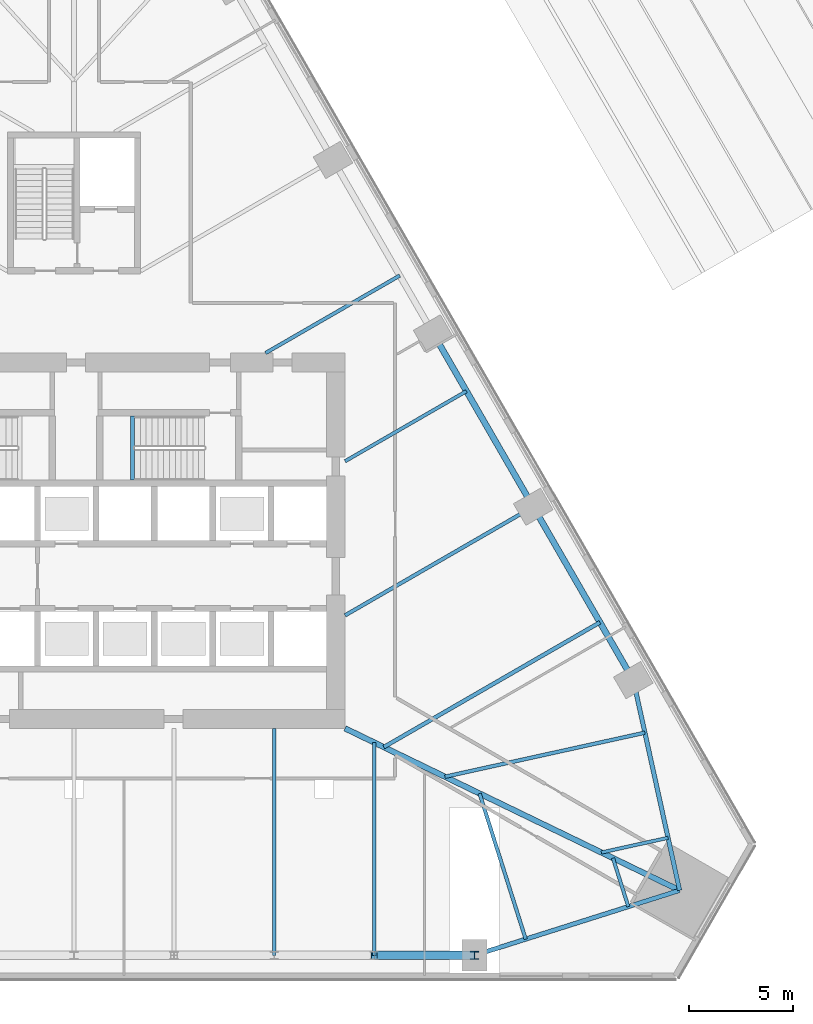
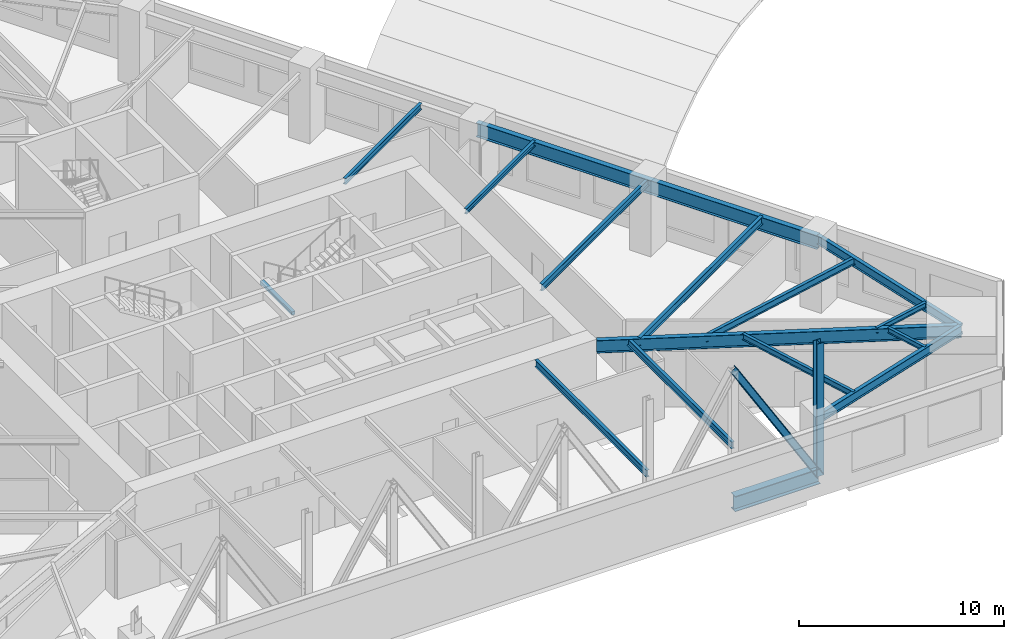
# One storey, part 3 of 11: 15 beams, 3 members.
"""IFC4 building model written with IfcOpenShell, lengths in metres."""

from ifc_helpers import new_model, si_unit, direction, frame, origin, origin_2d, place, context, subcontext, project, spatial, rectangle, i_section, extrude, material, material_profile, profile_set, type_object, element, save


model = new_model("IFC4")

# Units and contexts
model_context = context("Model", 3, precision=1e-05, world=origin(), true_north=direction((0.0, 1.0)))
body_context = subcontext(model_context, "Body", "Model", "MODEL_VIEW")
ifc_project = project(units=[si_unit("LENGTHUNIT", "METRE"), si_unit("AREAUNIT", "SQUARE_METRE"), si_unit("VOLUMEUNIT", "CUBIC_METRE"), si_unit("PLANEANGLEUNIT", "RADIAN"), si_unit("MASSUNIT", "GRAM", prefix="KILO")], contexts=[model_context])

# Site, building, storey
site_placement = place(None, origin())
site = spatial("IfcSite", under=ifc_project, at=site_placement, CompositionType="ELEMENT")
building_placement = place(site_placement, origin())
building = spatial("IfcBuilding", under=site, at=building_placement, Name="Firuza Gate Tower and Library", CompositionType="ELEMENT")
storey_placement = place(building_placement, frame((0.0, 0.0, 31.0)))
storey = spatial("IfcBuildingStorey", under=building, at=storey_placement, Name="L06", CompositionType="ELEMENT", Elevation=31.0)

# Beams
ifc_material_1 = material(Name="Concrete C35/45", Category="concrete")
ifc_material_profile_1 = material_profile(ifc_material_1, rectangle(XDim=0.199951171875, YDim=0.199951171875, at=origin_2d()))
ifc_profile_set_1 = profile_set([ifc_material_profile_1], Name="Concrete C35/45")
beam_type_1 = type_object("IfcBeamType", Name="Stair landing bearer 200x200", PredefinedType="BEAM", material=ifc_profile_set_1)
beam_1_placement = place(storey_placement, frame((77.800048828125, 80.97998046875, 1.949951171875), z_axis=(0.0, -1.0, 0.0), x_axis=(1.0, 0.0, 0.0)))
element("IfcBeam", 1, at=beam_1_placement, inside=storey, type_object=beam_type_1, Name="Landing bearer L06 stair 2", PredefinedType="BEAM", context=body_context, shape_type="SweptSolid", body=[
    extrude(rectangle(XDim=0.199951171875, YDim=0.199951171875, at=origin_2d()), origin(), (0.0, 0.0, 1.0), 3.080078125),
])
ifc_material_2 = material(Name="Steel S355", Category="steel")
ifc_material_profile_2 = material_profile(ifc_material_2, i_section(OverallWidth=0.1650390625, OverallDepth=0.31005859375, WebThickness=0.005859375, FlangeThickness=0.009765625, at=origin_2d()))
ifc_profile_set_2 = profile_set([ifc_material_profile_2], Name="Steel S355")
beam_type_2 = type_object("IfcBeamType", Name="W310x39 Floor beam", PredefinedType="JOIST", material=ifc_profile_set_2)
beam_2_placement = place(storey_placement, frame((101.580810546875, 57.45361328125, 3.89501953125), z_axis=(-0.30197349393, 0.953316321566, 0.0), x_axis=(-0.953316321566, -0.30197349393, 0.0)))
element("IfcBeam", 2, at=beam_2_placement, inside=storey, type_object=beam_type_2, Name="Floor beam L06 s31", PredefinedType="JOIST", context=body_context, shape_type="SweptSolid", body=[
    extrude(i_section(OverallWidth=0.1650390625, OverallDepth=0.31005859375, WebThickness=0.005859375, FlangeThickness=0.009765625, at=origin_2d()), origin(), (0.0, 0.0, 1.0), 2.441650390625),
])
beam_3_placement = place(storey_placement, frame((103.486083984375, 60.75341796875, 3.89501953125), z_axis=(-0.976601243751, -0.215058156564, 0.0), x_axis=(0.215058156564, -0.976601243751, 0.0)))
element("IfcBeam", 3, at=beam_3_placement, inside=storey, type_object=beam_type_2, Name="Floor beam L06 s40", PredefinedType="JOIST", context=body_context, shape_type="SweptSolid", body=[
    extrude(i_section(OverallWidth=0.1650390625, OverallDepth=0.31005859375, WebThickness=0.005859375, FlangeThickness=0.009765625, at=origin_2d()), origin(), (0.0, 0.0, 1.0), 3.27294921875),
])
beam_4_placement = place(storey_placement, frame((93.820556640625, 82.171142578125, 3.89501953125), z_axis=(-0.866019234261, -0.500010685776, 0.0), x_axis=(0.500010685776, -0.866019234261, 0.0)))
element("IfcBeam", 4, at=beam_4_placement, inside=storey, type_object=beam_type_2, Name="Floor beam L06 s52", PredefinedType="JOIST", context=body_context, shape_type="SweptSolid", body=[
    extrude(i_section(OverallWidth=0.1650390625, OverallDepth=0.31005859375, WebThickness=0.005859375, FlangeThickness=0.009765625, at=origin_2d()), origin(), (0.0, 0.0, 1.0), 6.720947265625),
])

# Members
ifc_material_3 = material(Name="Steel S355", Category="steel")
ifc_material_profile_3 = material_profile(ifc_material_3, i_section(OverallWidth=0.39404296875, OverallDepth=0.375, WebThickness=0.017333984375, FlangeThickness=0.027587890625, at=origin_2d()))
ifc_profile_set_3 = profile_set([ifc_material_profile_3], Name="Steel S355")
member_type_1 = type_object("IfcMemberType", Name="W360x216 Transfer truss post", PredefinedType="POST", material=ifc_profile_set_3)
member_1_placement = place(storey_placement, frame((94.199951171875, 55.115478515625, 0.4560546875), z_axis=(0.0, 0.0, 1.0), x_axis=(1.0, 0.0, 0.0)))
element("IfcMember", 5, at=member_1_placement, inside=storey, type_object=member_type_1, Name="Transfer truss post 9", PredefinedType="POST", context=body_context, shape_type="SweptSolid", body=[
    extrude(i_section(OverallWidth=0.39404296875, OverallDepth=0.375, WebThickness=0.017333984375, FlangeThickness=0.027587890625, at=origin_2d()), origin(), (0.0, 0.0, 1.0), 7.887939453125),
])
ifc_material_4 = material(Name="Steel S355", Category="steel")
ifc_material_profile_4 = material_profile(ifc_material_4, i_section(OverallWidth=0.39794921875, OverallDepth=0.386962890625, WebThickness=0.02099609375, FlangeThickness=0.033203125, at=origin_2d()))
ifc_profile_set_4 = profile_set([ifc_material_profile_4], Name="Steel S355")
member_type_2 = type_object("IfcMemberType", Name="W360x262 Transfer truss diagonal", PredefinedType="BRACE", material=ifc_profile_set_4)
member_2_placement = place(storey_placement, frame((89.39990234375, 55.115478515625, 8.343994140625), z_axis=(0.519843771024, 0.0, -0.85426134978), x_axis=(0.0, 1.0, 0.0)))
element("IfcMember", 6, at=member_2_placement, inside=storey, type_object=member_type_2, Name="Transfer truss diagonal 8", PredefinedType="BRACE", context=body_context, shape_type="SweptSolid", body=[
    extrude(i_section(OverallWidth=0.39794921875, OverallDepth=0.386962890625, WebThickness=0.02099609375, FlangeThickness=0.033203125, at=origin_2d()), origin(), (0.0, 0.0, 1.0), 9.233642578125),
])

# Beams
ifc_material_5 = material(Name="Steel S355", Category="steel")
ifc_material_profile_5 = material_profile(ifc_material_5, i_section(OverallWidth=0.1708984375, OverallDepth=0.35498046875, WebThickness=0.007080078125, FlangeThickness=0.01171875, at=origin_2d()))
ifc_profile_set_5 = profile_set([ifc_material_profile_5], Name="Steel S355")
beam_type_3 = type_object("IfcBeamType", Name="W360x51 Floor beam", PredefinedType="JOIST", material=ifc_profile_set_5)
beam_5_placement = place(storey_placement, frame((96.660400390625, 55.894775390625, 3.87255859375), z_axis=(-0.302024477968, 0.953300170307, 0.0), x_axis=(-0.953300170307, -0.302024477968, 0.0)))
element("IfcBeam", 7, at=beam_5_placement, inside=storey, type_object=beam_type_3, Name="Floor beam L06 s30", PredefinedType="JOIST", context=body_context, shape_type="SweptSolid", body=[
    extrude(i_section(OverallWidth=0.1708984375, OverallDepth=0.35498046875, WebThickness=0.007080078125, FlangeThickness=0.01171875, at=origin_2d()), origin(), (0.0, 0.0, 1.0), 7.3251953125),
])
beam_6_placement = place(storey_placement, frame((90.62060546875, 87.713623046875, 3.87255859375), z_axis=(-0.866023556141, -0.500003200199, 0.0), x_axis=(0.500003200199, -0.866023556141, 0.0)))
element("IfcBeam", 8, at=beam_6_placement, inside=storey, type_object=beam_type_3, Name="Floor beam L06 s53", PredefinedType="JOIST", context=body_context, shape_type="SweptSolid", body=[
    extrude(i_section(OverallWidth=0.1708984375, OverallDepth=0.35498046875, WebThickness=0.007080078125, FlangeThickness=0.01171875, at=origin_2d()), origin(), (0.0, 0.0, 1.0), 7.42724609375),
])
ifc_material_6 = material(Name="Steel S355", Category="steel")
ifc_material_profile_6 = material_profile(ifc_material_6, i_section(OverallWidth=0.177978515625, OverallDepth=0.406982421875, WebThickness=0.0078125, FlangeThickness=0.0126953125, at=origin_2d()))
ifc_profile_set_6 = profile_set([ifc_material_profile_6], Name="Steel S355")
beam_type_4 = type_object("IfcBeamType", Name="W410x60 Floor beam", PredefinedType="JOIST", material=ifc_profile_set_6)
beam_7_placement = place(storey_placement, frame((84.60009765625, 55.115478515625, 3.846435546875), z_axis=(0.0, 1.0, 0.0), x_axis=(-1.0, 0.0, 0.0)))
element("IfcBeam", 9, at=beam_7_placement, inside=storey, type_object=beam_type_4, Name="Floor beam L06 s25", PredefinedType="JOIST", context=body_context, shape_type="SweptSolid", body=[
    extrude(i_section(OverallWidth=0.177978515625, OverallDepth=0.406982421875, WebThickness=0.0078125, FlangeThickness=0.0126953125, at=origin_2d()), origin(), (0.0, 0.0, 1.0), 10.884521484375),
])
beam_8_placement = place(storey_placement, frame((89.39990234375, 55.115478515625, 3.846435546875), z_axis=(0.0, 1.0, 0.0), x_axis=(-1.0, 0.0, 0.0)))
element("IfcBeam", 10, at=beam_8_placement, inside=storey, type_object=beam_type_4, Name="Floor beam L06 s26", PredefinedType="JOIST", context=body_context, shape_type="SweptSolid", body=[
    extrude(i_section(OverallWidth=0.177978515625, OverallDepth=0.406982421875, WebThickness=0.0078125, FlangeThickness=0.0126953125, at=origin_2d()), origin(), (0.0, 0.0, 1.0), 10.20654296875),
])
beam_9_placement = place(storey_placement, frame((102.375732421875, 65.794189453125, 3.846435546875), z_axis=(-0.97658964753, -0.215110809441, 0.0), x_axis=(0.215110809441, -0.97658964753, 0.0)))
element("IfcBeam", 11, at=beam_9_placement, inside=storey, type_object=beam_type_4, Name="Floor beam L06 s41", PredefinedType="JOIST", context=body_context, shape_type="SweptSolid", body=[
    extrude(i_section(OverallWidth=0.177978515625, OverallDepth=0.406982421875, WebThickness=0.0078125, FlangeThickness=0.0126953125, at=origin_2d()), origin(), (0.0, 0.0, 1.0), 9.818359375),
])
beam_10_placement = place(storey_placement, frame((97.0205078125, 76.62841796875, 3.846435546875), z_axis=(-0.866024771944, -0.500001094379, 0.0), x_axis=(0.500001094379, -0.866024771944, 0.0)))
element("IfcBeam", 12, at=beam_10_placement, inside=storey, type_object=beam_type_4, Name="Floor beam L06 s51", PredefinedType="JOIST", context=body_context, shape_type="SweptSolid", body=[
    extrude(i_section(OverallWidth=0.177978515625, OverallDepth=0.406982421875, WebThickness=0.0078125, FlangeThickness=0.0126953125, at=origin_2d()), origin(), (0.0, 0.0, 1.0), 10.416015625),
])
ifc_material_7 = material(Name="Steel S355", Category="steel")
ifc_material_profile_7 = material_profile(ifc_material_7, i_section(OverallWidth=0.18994140625, OverallDepth=0.45703125, WebThickness=0.009033203125, FlangeThickness=0.014404296875, at=origin_2d()))
ifc_profile_set_7 = profile_set([ifc_material_profile_7], Name="Steel S355")
beam_type_5 = type_object("IfcBeamType", Name="W460x74 Floor beam", PredefinedType="JOIST", material=ifc_profile_set_7)
beam_11_placement = place(storey_placement, frame((100.220458984375, 71.0859375, 3.821533203125), z_axis=(-0.866020154196, -0.500009092443, 0.0), x_axis=(0.500009092443, -0.866020154196, 0.0)))
element("IfcBeam", 13, at=beam_11_placement, inside=storey, type_object=beam_type_5, Name="Floor beam L06 s50", PredefinedType="JOIST", context=body_context, shape_type="SweptSolid", body=[
    extrude(i_section(OverallWidth=0.18994140625, OverallDepth=0.45703125, WebThickness=0.009033203125, FlangeThickness=0.014404296875, at=origin_2d()), origin(), (0.0, 0.0, 1.0), 11.968505859375),
])
ifc_material_8 = material(Name="Steel S355", Category="steel")
ifc_material_profile_8 = material_profile(ifc_material_8, i_section(OverallWidth=0.212890625, OverallDepth=0.5390625, WebThickness=0.01171875, FlangeThickness=0.018798828125, at=origin_2d()))
ifc_profile_set_8 = profile_set([ifc_material_profile_8], Name="Steel S355")
beam_type_6 = type_object("IfcBeamType", Name="W530x109 Edge beam", PredefinedType="SPANDREL", material=ifc_profile_set_8)
for number, where, z_axis, x_axis, name in (
    (14, (94.199951171875, 55.115478515625, 3.780517578125), (0.953307052276, 0.302002755087, 0.0), (-0.302002755087, 0.953307052276, 0.0), "Edge beam L06 e30"),
    (15, (104.041259765625, 58.233154296875, 3.780517578125), (-0.215117130091, 0.976588255275, 0.0), (-0.976588255275, -0.215117130091, 0.0), "Edge beam L06 e40"),
):
    element("IfcBeam", number, at=place(storey_placement, frame(where, z_axis=z_axis, x_axis=x_axis)), inside=storey, type_object=beam_type_6, Name=name, PredefinedType="SPANDREL", context=body_context, shape_type="SweptSolid", body=[
        extrude(i_section(OverallWidth=0.212890625, OverallDepth=0.5390625, WebThickness=0.01171875, FlangeThickness=0.018798828125, at=origin_2d()), origin(), (0.0, 0.0, 1.0), 10.3232421875),
    ])
ifc_material_9 = material(Name="Steel S355", Category="steel")
ifc_material_profile_9 = material_profile(ifc_material_9, i_section(OverallWidth=0.264892578125, OverallDepth=0.7529296875, WebThickness=0.01318359375, FlangeThickness=0.01708984375, at=origin_2d()))
ifc_profile_set_9 = profile_set([ifc_material_profile_9], Name="Steel S355")
beam_type_7 = type_object("IfcBeamType", Name="W760x147 Girder", PredefinedType="BEAM", material=ifc_profile_set_9)
beam_12_placement = place(storey_placement, frame((104.041259765625, 58.233154296875, 3.673583984375), z_axis=(-0.900050421894, 0.43578577082, 0.0), x_axis=(-0.43578577082, -0.900050421894, 0.0)))
element("IfcBeam", 16, at=beam_12_placement, inside=storey, type_object=beam_type_7, Name="Girder L06 gSE", PredefinedType="BEAM", context=body_context, shape_type="SweptSolid", body=[
    extrude(i_section(OverallWidth=0.264892578125, OverallDepth=0.7529296875, WebThickness=0.01318359375, FlangeThickness=0.01708984375, at=origin_2d()), origin(), (0.0, 0.0, 1.0), 17.822509765625),
])
ifc_material_10 = material(Name="Steel S355", Category="steel")
ifc_material_profile_10 = material_profile(ifc_material_10, i_section(OverallWidth=0.2919921875, OverallDepth=0.8349609375, WebThickness=0.013916015625, FlangeThickness=0.018798828125, at=origin_2d()))
ifc_profile_set_10 = profile_set([ifc_material_profile_10], Name="Steel S355")
beam_type_8 = type_object("IfcBeamType", Name="W840x176 Edge beam", PredefinedType="SPANDREL", material=ifc_profile_set_10)
beam_13_placement = place(storey_placement, frame((101.820556640625, 68.314697265625, 3.632568359375), z_axis=(-0.500003864429, 0.866023172644, 0.0), x_axis=(-0.866023172644, -0.500003864429, 0.0)))
element("IfcBeam", 17, at=beam_13_placement, inside=storey, type_object=beam_type_8, Name="Edge beam L06 e50", PredefinedType="SPANDREL", context=body_context, shape_type="SweptSolid", body=[
    extrude(i_section(OverallWidth=0.2919921875, OverallDepth=0.8349609375, WebThickness=0.013916015625, FlangeThickness=0.018798828125, at=origin_2d()), origin(), (0.0, 0.0, 1.0), 19.199951171875),
])

# Member
ifc_material_11 = material(Name="Steel S355", Category="steel")
ifc_material_profile_11 = material_profile(ifc_material_11, i_section(OverallWidth=0.41796875, OverallDepth=0.912109375, WebThickness=0.019287109375, FlangeThickness=0.031982421875, at=origin_2d()))
ifc_profile_set_11 = profile_set([ifc_material_profile_11], Name="Steel S355")
member_type_3 = type_object("IfcMemberType", Name="W920x342 Transfer truss chord", PredefinedType="CHORD", material=ifc_profile_set_11)
member_3_placement = place(storey_placement, frame((89.39990234375, 55.115478515625, 0.4560546875), z_axis=(1.0, 0.0, 0.0), x_axis=(0.0, 1.0, 0.0)))
element("IfcMember", 18, at=member_3_placement, inside=storey, type_object=member_type_3, Name="Transfer truss bottom chord 8", PredefinedType="CHORD", context=body_context, shape_type="SweptSolid", body=[
    extrude(i_section(OverallWidth=0.41796875, OverallDepth=0.912109375, WebThickness=0.019287109375, FlangeThickness=0.031982421875, at=origin_2d()), origin(), (0.0, 0.0, 1.0), 4.800048828125),
])

save(model, "model.ifc")
